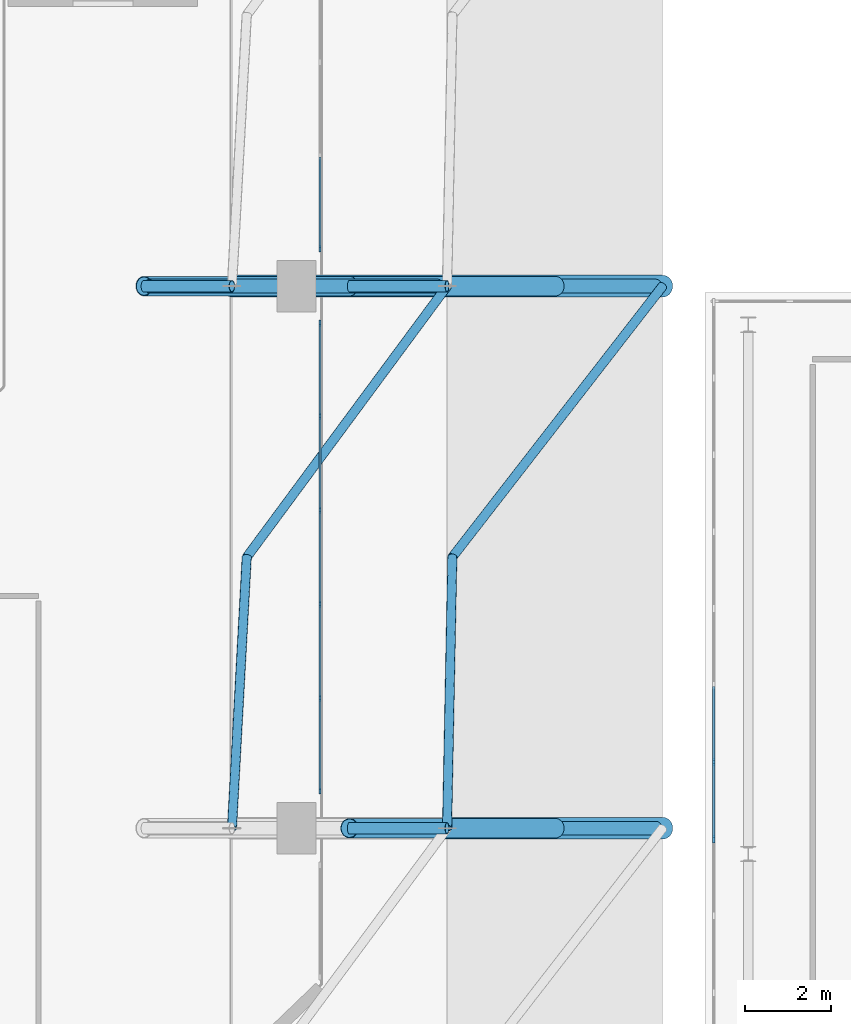
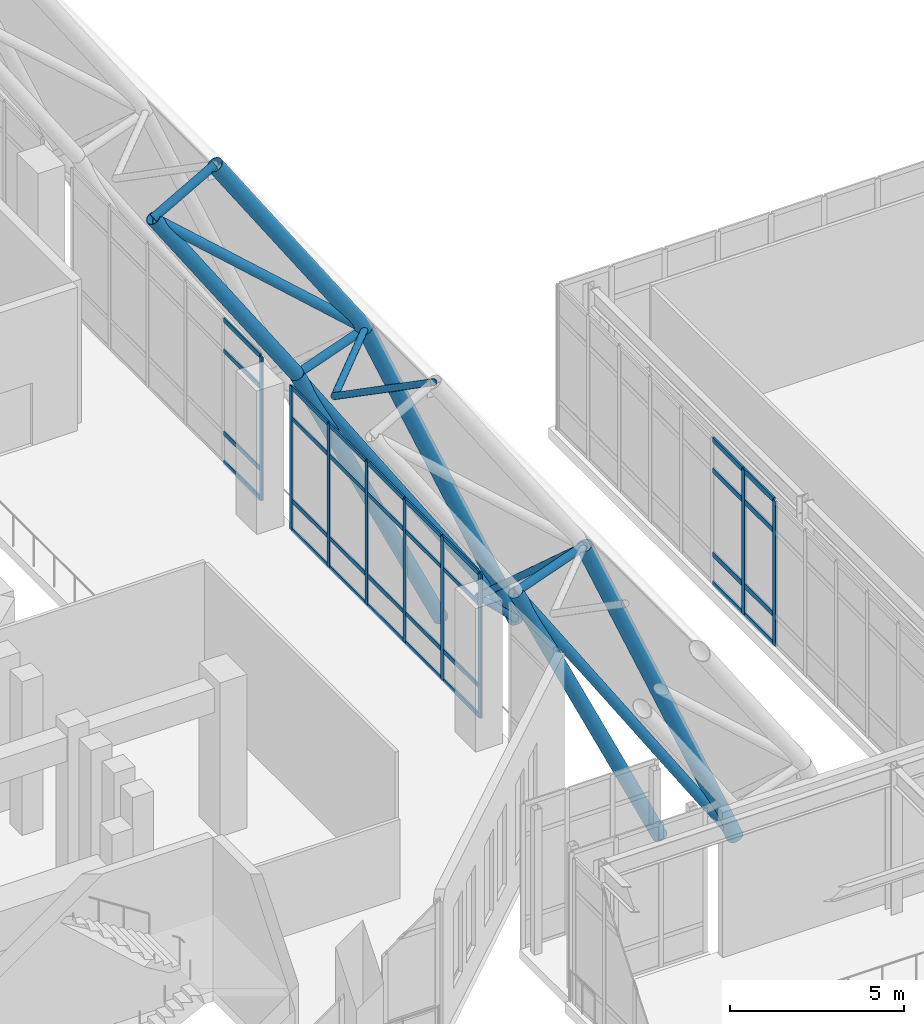
# One storey, part 41 of 159: 57 members, 3 elements without a shape of their own.
"""IFC4 building model written with IfcOpenShell, lengths in metres."""

from ifc_helpers import new_model, si_unit, derived_unit, direction, frame, origin, origin_2d, place, context, subcontext, project, spatial, rectangle, hollow_circle, extrude, material, layer, layer_set, material_profile, profile_set, type_object, element, aggregate, save


model = new_model("IFC4")

# Units and contexts
model_context = context("Model", 3, precision=1e-05, world=origin(), true_north=direction((0.0, 1.0)))
body_context = subcontext(model_context, "Body", "Model", "MODEL_VIEW")
ifc_project = project(units=[si_unit("LENGTHUNIT", "METRE"), si_unit("AREAUNIT", "SQUARE_METRE"), si_unit("VOLUMEUNIT", "CUBIC_METRE"), si_unit("PLANEANGLEUNIT", "RADIAN"), si_unit("MASSUNIT", "GRAM", prefix="KILO"), derived_unit("THERMALTRANSMITTANCEUNIT", [(si_unit("MASSUNIT", "GRAM", prefix="KILO"), 1), (si_unit("TIMEUNIT", "SECOND"), -3), (si_unit("THERMODYNAMICTEMPERATUREUNIT", "KELVIN"), -1)])], contexts=[model_context])

# Site, building, storey
site_placement = place(None, origin())
site = spatial("IfcSite", under=ifc_project, at=site_placement, CompositionType="ELEMENT")
building_placement = place(site_placement, origin())
building = spatial("IfcBuilding", under=site, at=building_placement, Name="Valcora Ridge Arena", CompositionType="ELEMENT")
storey_placement = place(building_placement, frame((0.0, 0.0, 6.0)))
storey = spatial("IfcBuildingStorey", under=building, at=storey_placement, Name="L01", CompositionType="ELEMENT", Elevation=6.0)

# Curtain wall, members
ifc_material_1 = material(Name="Anodised dark bronze architectural aluminium 6063-T6", Category="aluminium")
ifc_layer_1 = layer(ifc_material_1, 0.14990234375, Name="Anodised dark bronze architectural aluminium 6063-T6")
ifc_layer_set_1 = layer_set([ifc_layer_1], Name="Anodised dark bronze architectural aluminium 6063-T6")
curtain_wall_type_1 = type_object("IfcCurtainWallType", Name="TY-CURTAINWALL-CW-V1-EAST-109X50", PredefinedType="NOTDEFINED", material=ifc_layer_set_1)
curtain_wall_1_placement = place(storey_placement, origin())
curtain_wall_1 = element("IfcCurtainWall", 1, at=curtain_wall_1_placement, inside=storey, type_object=curtain_wall_type_1, Name="CW-V1-EAST-109X50 CW-0107", PredefinedType="NOTDEFINED")
ifc_material_profile_1 = material_profile(ifc_material_1, rectangle(XDim=0.050048828125, YDim=0.14990234375, at=origin_2d()), Name="ALU MULLION 50x150")
ifc_profile_set_1 = profile_set([ifc_material_profile_1], Name="Anodised dark bronze architectural aluminium 6063-T6")
member_type_1 = type_object("IfcMemberType", Name="TY-MEM-CWM-50x150", PredefinedType="MULLION", material=ifc_profile_set_1)
member_1_placement = place(storey_placement, frame((103.050048828125, 33.465087890625, 0.0), z_axis=(0.0, 0.0, 1.0), x_axis=(-1.0, 0.0, 0.0)))
member_1 = element("IfcMember", 2, at=member_1_placement, type_object=member_type_1, Name="CW-0107/CWM-50x150/M00", PredefinedType="MULLION", context=body_context, shape_type="SweptSolid", body=[
    extrude(rectangle(XDim=0.050048828125, YDim=0.14990234375, at=origin_2d()), origin(), (0.0, 0.0, 1.0), 5.0400390625),
])
member_2_placement = place(storey_placement, frame((103.050048828125, 35.6240234375, 0.0), z_axis=(0.0, 0.0, 1.0), x_axis=(-1.0, 0.0, 0.0)))
member_2 = element("IfcMember", 3, at=member_2_placement, type_object=member_type_1, Name="CW-0107/CWM-50x150/M01", PredefinedType="MULLION", context=body_context, shape_type="SweptSolid", body=[
    extrude(rectangle(XDim=0.050048828125, YDim=0.14990234375, at=origin_2d()), origin(), (0.0, 0.0, 1.0), 5.0400390625),
])
member_3_placement = place(storey_placement, frame((103.050048828125, 37.80810546875, 0.0), z_axis=(0.0, 0.0, 1.0), x_axis=(-1.0, 0.0, 0.0)))
member_3 = element("IfcMember", 4, at=member_3_placement, type_object=member_type_1, Name="CW-0107/CWM-50x150/M02", PredefinedType="MULLION", context=body_context, shape_type="SweptSolid", body=[
    extrude(rectangle(XDim=0.050048828125, YDim=0.14990234375, at=origin_2d()), origin(), (0.0, 0.0, 1.0), 5.0400390625),
])
member_4_placement = place(storey_placement, frame((103.050048828125, 39.991943359375, 0.0), z_axis=(0.0, 0.0, 1.0), x_axis=(-1.0, 0.0, 0.0)))
member_4 = element("IfcMember", 5, at=member_4_placement, type_object=member_type_1, Name="CW-0107/CWM-50x150/M03", PredefinedType="MULLION", context=body_context, shape_type="SweptSolid", body=[
    extrude(rectangle(XDim=0.050048828125, YDim=0.14990234375, at=origin_2d()), origin(), (0.0, 0.0, 1.0), 5.0400390625),
])
member_5_placement = place(storey_placement, frame((103.050048828125, 42.176025390625, 0.0), z_axis=(0.0, 0.0, 1.0), x_axis=(-1.0, 0.0, 0.0)))
member_5 = element("IfcMember", 6, at=member_5_placement, type_object=member_type_1, Name="CW-0107/CWM-50x150/M04", PredefinedType="MULLION", context=body_context, shape_type="SweptSolid", body=[
    extrude(rectangle(XDim=0.050048828125, YDim=0.14990234375, at=origin_2d()), origin(), (0.0, 0.0, 1.0), 5.0400390625),
])
member_6_placement = place(storey_placement, frame((103.050048828125, 44.3349609375, 0.0), z_axis=(0.0, 0.0, 1.0), x_axis=(-1.0, 0.0, 0.0)))
member_6 = element("IfcMember", 7, at=member_6_placement, type_object=member_type_1, Name="CW-0107/CWM-50x150/M05", PredefinedType="MULLION", context=body_context, shape_type="SweptSolid", body=[
    extrude(rectangle(XDim=0.050048828125, YDim=0.14990234375, at=origin_2d()), origin(), (0.0, 0.0, 1.0), 5.0400390625),
])

# Curtain wall, member
curtain_wall_2_placement = place(storey_placement, origin())
curtain_wall_2 = element("IfcCurtainWall", 8, at=curtain_wall_2_placement, inside=storey, type_object=curtain_wall_type_1, Name="CW-V1-EAST-109X50 CW-0108", PredefinedType="NOTDEFINED")
member_7_placement = place(storey_placement, frame((103.050048828125, 46.06494140625, 0.0), z_axis=(0.0, 0.0, 1.0), x_axis=(-1.0, 0.0, 0.0)))
member_7 = element("IfcMember", 9, at=member_7_placement, type_object=member_type_1, Name="CW-0108/CWM-50x150/M00", PredefinedType="MULLION", context=body_context, shape_type="SweptSolid", body=[
    extrude(rectangle(XDim=0.050048828125, YDim=0.14990234375, at=origin_2d()), origin(), (0.0, 0.0, 1.0), 5.0400390625),
])

# Curtain wall, members
ifc_layer_2 = layer(ifc_material_1, 0.179931640625, Name="Anodised dark bronze architectural aluminium 6063-T6")
ifc_layer_set_2 = layer_set([ifc_layer_2], Name="Anodised dark bronze architectural aluminium 6063-T6")
curtain_wall_type_2 = type_object("IfcCurtainWallType", Name="TY-CURTAINWALL-CW-V3-LANCET-250X51", PredefinedType="NOTDEFINED", material=ifc_layer_set_2)
curtain_wall_3_placement = place(storey_placement, origin())
curtain_wall_3 = element("IfcCurtainWall", 10, at=curtain_wall_3_placement, inside=storey, type_object=curtain_wall_type_2, Name="CW-V3-LANCET-250X51 CW-0018", PredefinedType="NOTDEFINED")
ifc_material_profile_2 = material_profile(ifc_material_1, rectangle(XDim=0.06005859375, YDim=0.179931640625, at=origin_2d()), Name="ALU MULLION 60x180")
ifc_profile_set_2 = profile_set([ifc_material_profile_2], Name="Anodised dark bronze architectural aluminium 6063-T6")
member_type_2 = type_object("IfcMemberType", Name="TY-MEM-CWM-60x180", PredefinedType="MULLION", material=ifc_profile_set_2)
member_8_placement = place(storey_placement, frame((112.199951171875, 32.35009765625, 0.0), z_axis=(0.0, 0.0, 1.0), x_axis=(-1.0, 0.0, 0.0)))
member_8 = element("IfcMember", 11, at=member_8_placement, type_object=member_type_2, Name="CW-0018/CWM-60x180/M07", PredefinedType="MULLION", context=body_context, shape_type="SweptSolid", body=[
    extrude(rectangle(XDim=0.06005859375, YDim=0.179931640625, at=origin_2d()), origin(), (0.0, 0.0, 1.0), 5.10009765625),
])
member_9_placement = place(storey_placement, frame((112.199951171875, 34.1357421875, 0.0), z_axis=(0.0, 0.0, 1.0), x_axis=(-1.0, 0.0, 0.0)))
member_9 = element("IfcMember", 12, at=member_9_placement, type_object=member_type_2, Name="CW-0018/CWM-60x180/M08", PredefinedType="MULLION", context=body_context, shape_type="SweptSolid", body=[
    extrude(rectangle(XDim=0.06005859375, YDim=0.179931640625, at=origin_2d()), origin(), (0.0, 0.0, 1.0), 5.10009765625),
])

# Member
ifc_material_profile_3 = material_profile(ifc_material_1, rectangle(XDim=0.050048828125, YDim=0.14990234375, at=origin_2d()), Name="ALU TRANSOM 50x150")
ifc_profile_set_3 = profile_set([ifc_material_profile_3], Name="Anodised dark bronze architectural aluminium 6063-T6")
member_type_3 = type_object("IfcMemberType", Name="TY-MEM-CWT-50x150", PredefinedType="USERDEFINED", material=ifc_profile_set_3)
member_10_placement = place(storey_placement, frame((103.050048828125, 33.489990234375, 0.02490234375), z_axis=(0.0, 1.0, 0.0), x_axis=(-1.0, 0.0, 0.0)))
member_10 = element("IfcMember", 13, at=member_10_placement, type_object=member_type_3, Name="CW-0107/CWT-50x150/T00-00", ObjectType="TRANSOM", PredefinedType="USERDEFINED", context=body_context, shape_type="SweptSolid", body=[
    extrude(rectangle(XDim=0.050048828125, YDim=0.14990234375, at=origin_2d()), origin(), (0.0, 0.0, 1.0), 2.109130859375),
])

member_11_placement = place(storey_placement, frame((103.050048828125, 33.489990234375, 1.050048828125), z_axis=(0.0, 1.0, 0.0), x_axis=(-1.0, 0.0, 0.0)))
member_11 = element("IfcMember", 14, at=member_11_placement, type_object=member_type_3, Name="CW-0107/CWT-50x150/T00-01", ObjectType="TRANSOM", PredefinedType="USERDEFINED", context=body_context, shape_type="SweptSolid", body=[
    extrude(rectangle(XDim=0.050048828125, YDim=0.14990234375, at=origin_2d()), origin(), (0.0, 0.0, 1.0), 2.109130859375),
])

member_12_placement = place(storey_placement, frame((103.050048828125, 33.489990234375, 3.93994140625), z_axis=(0.0, 1.0, 0.0), x_axis=(-1.0, 0.0, 0.0)))
member_12 = element("IfcMember", 15, at=member_12_placement, type_object=member_type_3, Name="CW-0107/CWT-50x150/T00-02", ObjectType="TRANSOM", PredefinedType="USERDEFINED", context=body_context, shape_type="SweptSolid", body=[
    extrude(rectangle(XDim=0.050048828125, YDim=0.14990234375, at=origin_2d()), origin(), (0.0, 0.0, 1.0), 2.109130859375),
])

member_13_placement = place(storey_placement, frame((103.050048828125, 33.489990234375, 5.014892578125), z_axis=(0.0, 1.0, 0.0), x_axis=(-1.0, 0.0, 0.0)))
member_13 = element("IfcMember", 16, at=member_13_placement, type_object=member_type_3, Name="CW-0107/CWT-50x150/T00-03", ObjectType="TRANSOM", PredefinedType="USERDEFINED", context=body_context, shape_type="SweptSolid", body=[
    extrude(rectangle(XDim=0.050048828125, YDim=0.14990234375, at=origin_2d()), origin(), (0.0, 0.0, 1.0), 2.109130859375),
])

member_14_placement = place(storey_placement, frame((103.050048828125, 35.64892578125, 0.02490234375), z_axis=(0.0, 1.0, 0.0), x_axis=(-1.0, 0.0, 0.0)))
member_14 = element("IfcMember", 17, at=member_14_placement, type_object=member_type_3, Name="CW-0107/CWT-50x150/T01-00", ObjectType="TRANSOM", PredefinedType="USERDEFINED", context=body_context, shape_type="SweptSolid", body=[
    extrude(rectangle(XDim=0.050048828125, YDim=0.14990234375, at=origin_2d()), origin(), (0.0, 0.0, 1.0), 2.134033203125),
])

member_15_placement = place(storey_placement, frame((103.050048828125, 35.64892578125, 1.050048828125), z_axis=(0.0, 1.0, 0.0), x_axis=(-1.0, 0.0, 0.0)))
member_15 = element("IfcMember", 18, at=member_15_placement, type_object=member_type_3, Name="CW-0107/CWT-50x150/T01-01", ObjectType="TRANSOM", PredefinedType="USERDEFINED", context=body_context, shape_type="SweptSolid", body=[
    extrude(rectangle(XDim=0.050048828125, YDim=0.14990234375, at=origin_2d()), origin(), (0.0, 0.0, 1.0), 2.134033203125),
])

member_16_placement = place(storey_placement, frame((103.050048828125, 35.64892578125, 3.93994140625), z_axis=(0.0, 1.0, 0.0), x_axis=(-1.0, 0.0, 0.0)))
member_16 = element("IfcMember", 19, at=member_16_placement, type_object=member_type_3, Name="CW-0107/CWT-50x150/T01-02", ObjectType="TRANSOM", PredefinedType="USERDEFINED", context=body_context, shape_type="SweptSolid", body=[
    extrude(rectangle(XDim=0.050048828125, YDim=0.14990234375, at=origin_2d()), origin(), (0.0, 0.0, 1.0), 2.134033203125),
])

member_17_placement = place(storey_placement, frame((103.050048828125, 35.64892578125, 5.014892578125), z_axis=(0.0, 1.0, 0.0), x_axis=(-1.0, 0.0, 0.0)))
member_17 = element("IfcMember", 20, at=member_17_placement, type_object=member_type_3, Name="CW-0107/CWT-50x150/T01-03", ObjectType="TRANSOM", PredefinedType="USERDEFINED", context=body_context, shape_type="SweptSolid", body=[
    extrude(rectangle(XDim=0.050048828125, YDim=0.14990234375, at=origin_2d()), origin(), (0.0, 0.0, 1.0), 2.134033203125),
])

member_18_placement = place(storey_placement, frame((103.050048828125, 37.8330078125, 0.02490234375), z_axis=(0.0, 1.0, 0.0), x_axis=(-1.0, 0.0, 0.0)))
member_18 = element("IfcMember", 21, at=member_18_placement, type_object=member_type_3, Name="CW-0107/CWT-50x150/T02-00", ObjectType="TRANSOM", PredefinedType="USERDEFINED", context=body_context, shape_type="SweptSolid", body=[
    extrude(rectangle(XDim=0.050048828125, YDim=0.14990234375, at=origin_2d()), origin(), (0.0, 0.0, 1.0), 2.134033203125),
])

member_19_placement = place(storey_placement, frame((103.050048828125, 37.8330078125, 1.050048828125), z_axis=(0.0, 1.0, 0.0), x_axis=(-1.0, 0.0, 0.0)))
member_19 = element("IfcMember", 22, at=member_19_placement, type_object=member_type_3, Name="CW-0107/CWT-50x150/T02-01", ObjectType="TRANSOM", PredefinedType="USERDEFINED", context=body_context, shape_type="SweptSolid", body=[
    extrude(rectangle(XDim=0.050048828125, YDim=0.14990234375, at=origin_2d()), origin(), (0.0, 0.0, 1.0), 2.134033203125),
])

member_20_placement = place(storey_placement, frame((103.050048828125, 37.8330078125, 3.93994140625), z_axis=(0.0, 1.0, 0.0), x_axis=(-1.0, 0.0, 0.0)))
member_20 = element("IfcMember", 23, at=member_20_placement, type_object=member_type_3, Name="CW-0107/CWT-50x150/T02-02", ObjectType="TRANSOM", PredefinedType="USERDEFINED", context=body_context, shape_type="SweptSolid", body=[
    extrude(rectangle(XDim=0.050048828125, YDim=0.14990234375, at=origin_2d()), origin(), (0.0, 0.0, 1.0), 2.134033203125),
])

member_21_placement = place(storey_placement, frame((103.050048828125, 37.8330078125, 5.014892578125), z_axis=(0.0, 1.0, 0.0), x_axis=(-1.0, 0.0, 0.0)))
member_21 = element("IfcMember", 24, at=member_21_placement, type_object=member_type_3, Name="CW-0107/CWT-50x150/T02-03", ObjectType="TRANSOM", PredefinedType="USERDEFINED", context=body_context, shape_type="SweptSolid", body=[
    extrude(rectangle(XDim=0.050048828125, YDim=0.14990234375, at=origin_2d()), origin(), (0.0, 0.0, 1.0), 2.134033203125),
])

member_22_placement = place(storey_placement, frame((103.050048828125, 40.01708984375, 0.02490234375), z_axis=(0.0, 1.0, 0.0), x_axis=(-1.0, 0.0, 0.0)))
member_22 = element("IfcMember", 25, at=member_22_placement, type_object=member_type_3, Name="CW-0107/CWT-50x150/T03-00", ObjectType="TRANSOM", PredefinedType="USERDEFINED", context=body_context, shape_type="SweptSolid", body=[
    extrude(rectangle(XDim=0.050048828125, YDim=0.14990234375, at=origin_2d()), origin(), (0.0, 0.0, 1.0), 2.1337890625),
])

member_23_placement = place(storey_placement, frame((103.050048828125, 40.01708984375, 1.050048828125), z_axis=(0.0, 1.0, 0.0), x_axis=(-1.0, 0.0, 0.0)))
member_23 = element("IfcMember", 26, at=member_23_placement, type_object=member_type_3, Name="CW-0107/CWT-50x150/T03-01", ObjectType="TRANSOM", PredefinedType="USERDEFINED", context=body_context, shape_type="SweptSolid", body=[
    extrude(rectangle(XDim=0.050048828125, YDim=0.14990234375, at=origin_2d()), origin(), (0.0, 0.0, 1.0), 2.1337890625),
])

member_24_placement = place(storey_placement, frame((103.050048828125, 40.01708984375, 3.93994140625), z_axis=(0.0, 1.0, 0.0), x_axis=(-1.0, 0.0, 0.0)))
member_24 = element("IfcMember", 27, at=member_24_placement, type_object=member_type_3, Name="CW-0107/CWT-50x150/T03-02", ObjectType="TRANSOM", PredefinedType="USERDEFINED", context=body_context, shape_type="SweptSolid", body=[
    extrude(rectangle(XDim=0.050048828125, YDim=0.14990234375, at=origin_2d()), origin(), (0.0, 0.0, 1.0), 2.1337890625),
])

member_25_placement = place(storey_placement, frame((103.050048828125, 40.01708984375, 5.014892578125), z_axis=(0.0, 1.0, 0.0), x_axis=(-1.0, 0.0, 0.0)))
member_25 = element("IfcMember", 28, at=member_25_placement, type_object=member_type_3, Name="CW-0107/CWT-50x150/T03-03", ObjectType="TRANSOM", PredefinedType="USERDEFINED", context=body_context, shape_type="SweptSolid", body=[
    extrude(rectangle(XDim=0.050048828125, YDim=0.14990234375, at=origin_2d()), origin(), (0.0, 0.0, 1.0), 2.1337890625),
])

member_26_placement = place(storey_placement, frame((103.050048828125, 42.200927734375, 0.02490234375), z_axis=(0.0, 1.0, 0.0), x_axis=(-1.0, 0.0, 0.0)))
member_26 = element("IfcMember", 29, at=member_26_placement, type_object=member_type_3, Name="CW-0107/CWT-50x150/T04-00", ObjectType="TRANSOM", PredefinedType="USERDEFINED", context=body_context, shape_type="SweptSolid", body=[
    extrude(rectangle(XDim=0.050048828125, YDim=0.14990234375, at=origin_2d()), origin(), (0.0, 0.0, 1.0), 2.109130859375),
])

member_27_placement = place(storey_placement, frame((103.050048828125, 42.200927734375, 1.050048828125), z_axis=(0.0, 1.0, 0.0), x_axis=(-1.0, 0.0, 0.0)))
member_27 = element("IfcMember", 30, at=member_27_placement, type_object=member_type_3, Name="CW-0107/CWT-50x150/T04-01", ObjectType="TRANSOM", PredefinedType="USERDEFINED", context=body_context, shape_type="SweptSolid", body=[
    extrude(rectangle(XDim=0.050048828125, YDim=0.14990234375, at=origin_2d()), origin(), (0.0, 0.0, 1.0), 2.109130859375),
])

member_28_placement = place(storey_placement, frame((103.050048828125, 42.200927734375, 3.93994140625), z_axis=(0.0, 1.0, 0.0), x_axis=(-1.0, 0.0, 0.0)))
member_28 = element("IfcMember", 31, at=member_28_placement, type_object=member_type_3, Name="CW-0107/CWT-50x150/T04-02", ObjectType="TRANSOM", PredefinedType="USERDEFINED", context=body_context, shape_type="SweptSolid", body=[
    extrude(rectangle(XDim=0.050048828125, YDim=0.14990234375, at=origin_2d()), origin(), (0.0, 0.0, 1.0), 2.109130859375),
])

member_29_placement = place(storey_placement, frame((103.050048828125, 42.200927734375, 5.014892578125), z_axis=(0.0, 1.0, 0.0), x_axis=(-1.0, 0.0, 0.0)))
member_29 = element("IfcMember", 32, at=member_29_placement, type_object=member_type_3, Name="CW-0107/CWT-50x150/T04-03", ObjectType="TRANSOM", PredefinedType="USERDEFINED", context=body_context, shape_type="SweptSolid", body=[
    extrude(rectangle(XDim=0.050048828125, YDim=0.14990234375, at=origin_2d()), origin(), (0.0, 0.0, 1.0), 2.109130859375),
])

aggregate(curtain_wall_1, [member_1, member_2, member_3, member_4, member_5, member_6, member_10, member_11, member_12, member_13, member_14, member_15, member_16, member_17, member_18, member_19, member_20, member_21, member_22, member_23, member_24, member_25, member_26, member_27, member_28, member_29])

member_30_placement = place(storey_placement, frame((103.050048828125, 46.090087890625, 0.02490234375), z_axis=(0.0, 1.0, 0.0), x_axis=(-1.0, 0.0, 0.0)))
member_30 = element("IfcMember", 33, at=member_30_placement, type_object=member_type_3, Name="CW-0108/CWT-50x150/T00-00", ObjectType="TRANSOM", PredefinedType="USERDEFINED", context=body_context, shape_type="SweptSolid", body=[
    extrude(rectangle(XDim=0.050048828125, YDim=0.14990234375, at=origin_2d()), origin(), (0.0, 0.0, 1.0), 2.10888671875),
])

member_31_placement = place(storey_placement, frame((103.050048828125, 46.090087890625, 1.050048828125), z_axis=(0.0, 1.0, 0.0), x_axis=(-1.0, 0.0, 0.0)))
member_31 = element("IfcMember", 34, at=member_31_placement, type_object=member_type_3, Name="CW-0108/CWT-50x150/T00-01", ObjectType="TRANSOM", PredefinedType="USERDEFINED", context=body_context, shape_type="SweptSolid", body=[
    extrude(rectangle(XDim=0.050048828125, YDim=0.14990234375, at=origin_2d()), origin(), (0.0, 0.0, 1.0), 2.10888671875),
])

member_32_placement = place(storey_placement, frame((103.050048828125, 46.090087890625, 3.93994140625), z_axis=(0.0, 1.0, 0.0), x_axis=(-1.0, 0.0, 0.0)))
member_32 = element("IfcMember", 35, at=member_32_placement, type_object=member_type_3, Name="CW-0108/CWT-50x150/T00-02", ObjectType="TRANSOM", PredefinedType="USERDEFINED", context=body_context, shape_type="SweptSolid", body=[
    extrude(rectangle(XDim=0.050048828125, YDim=0.14990234375, at=origin_2d()), origin(), (0.0, 0.0, 1.0), 2.10888671875),
])

member_33_placement = place(storey_placement, frame((103.050048828125, 46.090087890625, 5.014892578125), z_axis=(0.0, 1.0, 0.0), x_axis=(-1.0, 0.0, 0.0)))
member_33 = element("IfcMember", 36, at=member_33_placement, type_object=member_type_3, Name="CW-0108/CWT-50x150/T00-03", ObjectType="TRANSOM", PredefinedType="USERDEFINED", context=body_context, shape_type="SweptSolid", body=[
    extrude(rectangle(XDim=0.050048828125, YDim=0.14990234375, at=origin_2d()), origin(), (0.0, 0.0, 1.0), 2.10888671875),
])

aggregate(curtain_wall_2, [member_7, member_30, member_31, member_32, member_33])

ifc_material_profile_4 = material_profile(ifc_material_1, rectangle(XDim=0.06005859375, YDim=0.179931640625, at=origin_2d()), Name="ALU TRANSOM 60x180")
ifc_profile_set_4 = profile_set([ifc_material_profile_4], Name="Anodised dark bronze architectural aluminium 6063-T6")
member_type_4 = type_object("IfcMemberType", Name="TY-MEM-CWT-60x180", PredefinedType="USERDEFINED", material=ifc_profile_set_4)
member_34_placement = place(storey_placement, frame((112.199951171875, 32.3798828125, 0.030029296875), z_axis=(0.0, 1.0, 0.0), x_axis=(-1.0, 0.0, 0.0)))
member_34 = element("IfcMember", 37, at=member_34_placement, type_object=member_type_4, Name="CW-0018/CWT-60x180/T07-00", ObjectType="TRANSOM", PredefinedType="USERDEFINED", context=body_context, shape_type="SweptSolid", body=[
    extrude(rectangle(XDim=0.06005859375, YDim=0.179931640625, at=origin_2d()), origin(), (0.0, 0.0, 1.0), 1.72607421875),
])

member_35_placement = place(storey_placement, frame((112.199951171875, 32.3798828125, 1.050048828125), z_axis=(0.0, 1.0, 0.0), x_axis=(-1.0, 0.0, 0.0)))
member_35 = element("IfcMember", 38, at=member_35_placement, type_object=member_type_4, Name="CW-0018/CWT-60x180/T07-01", ObjectType="TRANSOM", PredefinedType="USERDEFINED", context=body_context, shape_type="SweptSolid", body=[
    extrude(rectangle(XDim=0.06005859375, YDim=0.179931640625, at=origin_2d()), origin(), (0.0, 0.0, 1.0), 1.72607421875),
])

member_36_placement = place(storey_placement, frame((112.199951171875, 32.3798828125, 4.0), z_axis=(0.0, 1.0, 0.0), x_axis=(-1.0, 0.0, 0.0)))
member_36 = element("IfcMember", 39, at=member_36_placement, type_object=member_type_4, Name="CW-0018/CWT-60x180/T07-02", ObjectType="TRANSOM", PredefinedType="USERDEFINED", context=body_context, shape_type="SweptSolid", body=[
    extrude(rectangle(XDim=0.06005859375, YDim=0.179931640625, at=origin_2d()), origin(), (0.0, 0.0, 1.0), 1.72607421875),
])

member_37_placement = place(storey_placement, frame((112.199951171875, 32.3798828125, 5.070068359375), z_axis=(0.0, 1.0, 0.0), x_axis=(-1.0, 0.0, 0.0)))
member_37 = element("IfcMember", 40, at=member_37_placement, type_object=member_type_4, Name="CW-0018/CWT-60x180/T07-03", ObjectType="TRANSOM", PredefinedType="USERDEFINED", context=body_context, shape_type="SweptSolid", body=[
    extrude(rectangle(XDim=0.06005859375, YDim=0.179931640625, at=origin_2d()), origin(), (0.0, 0.0, 1.0), 1.72607421875),
])

member_38_placement = place(storey_placement, frame((112.199951171875, 34.166015625, 0.030029296875), z_axis=(0.0, 1.0, 0.0), x_axis=(-1.0, 0.0, 0.0)))
member_38 = element("IfcMember", 41, at=member_38_placement, type_object=member_type_4, Name="CW-0018/CWT-60x180/T08-00", ObjectType="TRANSOM", PredefinedType="USERDEFINED", context=body_context, shape_type="SweptSolid", body=[
    extrude(rectangle(XDim=0.06005859375, YDim=0.179931640625, at=origin_2d()), origin(), (0.0, 0.0, 1.0), 1.72509765625),
])

member_39_placement = place(storey_placement, frame((112.199951171875, 34.166015625, 1.050048828125), z_axis=(0.0, 1.0, 0.0), x_axis=(-1.0, 0.0, 0.0)))
member_39 = element("IfcMember", 42, at=member_39_placement, type_object=member_type_4, Name="CW-0018/CWT-60x180/T08-01", ObjectType="TRANSOM", PredefinedType="USERDEFINED", context=body_context, shape_type="SweptSolid", body=[
    extrude(rectangle(XDim=0.06005859375, YDim=0.179931640625, at=origin_2d()), origin(), (0.0, 0.0, 1.0), 1.72509765625),
])

member_40_placement = place(storey_placement, frame((112.199951171875, 34.166015625, 4.0), z_axis=(0.0, 1.0, 0.0), x_axis=(-1.0, 0.0, 0.0)))
member_40 = element("IfcMember", 43, at=member_40_placement, type_object=member_type_4, Name="CW-0018/CWT-60x180/T08-02", ObjectType="TRANSOM", PredefinedType="USERDEFINED", context=body_context, shape_type="SweptSolid", body=[
    extrude(rectangle(XDim=0.06005859375, YDim=0.179931640625, at=origin_2d()), origin(), (0.0, 0.0, 1.0), 1.72509765625),
])

member_41_placement = place(storey_placement, frame((112.199951171875, 34.166015625, 5.070068359375), z_axis=(0.0, 1.0, 0.0), x_axis=(-1.0, 0.0, 0.0)))
member_41 = element("IfcMember", 44, at=member_41_placement, type_object=member_type_4, Name="CW-0018/CWT-60x180/T08-03", ObjectType="TRANSOM", PredefinedType="USERDEFINED", context=body_context, shape_type="SweptSolid", body=[
    extrude(rectangle(XDim=0.06005859375, YDim=0.179931640625, at=origin_2d()), origin(), (0.0, 0.0, 1.0), 1.72509765625),
])

aggregate(curtain_wall_3, [member_8, member_9, member_34, member_35, member_36, member_37, member_38, member_39, member_40, member_41])

# Members
ifc_material_2 = material(Name="Steel ASTM A500 Grade C", Category="steel")
ifc_material_profile_5 = material_profile(ifc_material_2, hollow_circle(Radius=0.228515625, WallThickness=0.01611328125, at=origin_2d()), Name="CHS457X16")
ifc_profile_set_5 = profile_set([ifc_material_profile_5], Name="Steel ASTM A500 Grade C")
member_type_5 = type_object("IfcMemberType", Name="TY-MEMBER-SFBC-457", PredefinedType="CHORD", material=ifc_profile_set_5)
member_42_placement = place(storey_placement, frame((103.73046875, 32.60009765625, 4.687744140625), z_axis=(0.423307664024, 0.0, -0.90598599414), x_axis=(0.0, 1.0, 0.0)))
element("IfcMember", 45, at=member_42_placement, inside=storey, type_object=member_type_5, Name="SFBC-457 Space Frame Bottom Chord", PredefinedType="CHORD", context=body_context, shape_type="SweptSolid", body=[
    extrude(hollow_circle(Radius=0.228515625, WallThickness=0.01611328125, at=origin_2d()), origin(), (0.0, 0.0, 1.0), 11.300048828125),
])
member_43_placement = place(storey_placement, frame((98.95654296875, 45.199951171875, 11.845947265625), z_axis=(0.554844245473, 0.0, -0.831954243493), x_axis=(0.0, 1.0, 0.0)))
element("IfcMember", 46, at=member_43_placement, inside=storey, type_object=member_type_5, Name="SFBC-457 Space Frame Bottom Chord", PredefinedType="CHORD", context=body_context, shape_type="SweptSolid", body=[
    extrude(hollow_circle(Radius=0.228515625, WallThickness=0.01611328125, at=origin_2d()), origin(), (0.0, 0.0, 1.0), 8.60400390625),
])
member_44_placement = place(storey_placement, frame((103.73046875, 45.199951171875, 4.687744140625), z_axis=(0.423307664024, 0.0, -0.90598599414), x_axis=(0.0, 1.0, 0.0)))
element("IfcMember", 47, at=member_44_placement, inside=storey, type_object=member_type_5, Name="SFBC-457 Space Frame Bottom Chord", PredefinedType="CHORD", context=body_context, shape_type="SweptSolid", body=[
    extrude(hollow_circle(Radius=0.228515625, WallThickness=0.01611328125, at=origin_2d()), origin(), (0.0, 0.0, 1.0), 11.300048828125),
])
ifc_material_profile_6 = material_profile(ifc_material_2, hollow_circle(Radius=0.136474609375, WallThickness=0.012451171875, at=origin_2d()), Name="CHS273X12")
ifc_profile_set_6 = profile_set([ifc_material_profile_6], Name="Steel ASTM A500 Grade C")
member_type_6 = type_object("IfcMemberType", Name="TY-MEMBER-SFKP-273", PredefinedType="POST", material=ifc_profile_set_6)
member_45_placement = place(storey_placement, frame((103.73046875, 32.60009765625, 4.687744140625), z_axis=(0.940679548022, 0.0, 0.339296312878), x_axis=(0.0, 1.0, 0.0)))
element("IfcMember", 48, at=member_45_placement, inside=storey, type_object=member_type_6, Name="SFKP-273 Space Frame King Post", PredefinedType="POST", context=body_context, shape_type="SweptSolid", body=[
    extrude(hollow_circle(Radius=0.136474609375, WallThickness=0.012451171875, at=origin_2d()), origin(), (0.0, 0.0, 1.0), 2.41259765625),
])
member_46_placement = place(storey_placement, frame((98.95654296875, 45.199951171875, 11.845947265625), z_axis=(0.870066770029, 0.0, 0.49293388572), x_axis=(0.0, 1.0, 0.0)))
element("IfcMember", 49, at=member_46_placement, inside=storey, type_object=member_type_6, Name="SFKP-273 Space Frame King Post", PredefinedType="POST", context=body_context, shape_type="SweptSolid", body=[
    extrude(hollow_circle(Radius=0.136474609375, WallThickness=0.012451171875, at=origin_2d()), origin(), (0.0, 0.0, 1.0), 2.3486328125),
])
member_47_placement = place(storey_placement, frame((103.73046875, 45.199951171875, 4.687744140625), z_axis=(0.940679548022, 0.0, 0.339296312878), x_axis=(0.0, 1.0, 0.0)))
element("IfcMember", 50, at=member_47_placement, inside=storey, type_object=member_type_6, Name="SFKP-273 Space Frame King Post", PredefinedType="POST", context=body_context, shape_type="SweptSolid", body=[
    extrude(hollow_circle(Radius=0.136474609375, WallThickness=0.012451171875, at=origin_2d()), origin(), (0.0, 0.0, 1.0), 2.41259765625),
])
ifc_material_profile_7 = material_profile(ifc_material_2, hollow_circle(Radius=0.109619140625, WallThickness=0.010009765625, at=origin_2d()), Name="CHS219X10")
ifc_profile_set_7 = profile_set([ifc_material_profile_7], Name="Steel ASTM A500 Grade C")
member_type_7 = type_object("IfcMemberType", Name="TY-MEMBER-SFST-219", PredefinedType="STRUT", material=ifc_profile_set_7)
member_48_placement = place(storey_placement, frame((101.343505859375, 38.89990234375, 8.570068359375), z_axis=(-0.044546474431, -0.816970310034, 0.57495662805), x_axis=(0.99851674084, -0.054445553184, 0.0)))
element("IfcMember", 51, at=member_48_placement, inside=storey, type_object=member_type_7, Name="SFST-219 Space Frame Tie Strut", PredefinedType="STRUT", context=body_context, shape_type="SweptSolid", body=[
    extrude(hollow_circle(Radius=0.109619140625, WallThickness=0.010009765625, at=origin_2d()), origin(), (0.0, 0.0, 1.0), 7.711181640625),
])
member_49_placement = place(storey_placement, frame((101.343505859375, 38.89990234375, 8.570068359375), z_axis=(0.55356081568, 0.748945464721, -0.364213006657), x_axis=(-0.804180027391, 0.59438580362, 0.0)))
element("IfcMember", 52, at=member_49_placement, inside=storey, type_object=member_type_7, Name="SFST-219 Space Frame Tie Strut", PredefinedType="STRUT", context=body_context, shape_type="SweptSolid", body=[
    extrude(hollow_circle(Radius=0.109619140625, WallThickness=0.010009765625, at=origin_2d()), origin(), (0.0, 0.0, 1.0), 8.411865234375),
])
member_50_placement = place(storey_placement, frame((106.122314453125, 38.89990234375, -0.131103515625), z_axis=(-0.014466894428, -0.745117253118, 0.666776565329), x_axis=(0.999811570617, -0.019411936013, 0.0)))
element("IfcMember", 53, at=member_50_placement, inside=storey, type_object=member_type_7, Name="SFST-219 Space Frame Tie Strut", PredefinedType="STRUT", context=body_context, shape_type="SweptSolid", body=[
    extrude(hollow_circle(Radius=0.109619140625, WallThickness=0.010009765625, at=origin_2d()), origin(), (0.0, 0.0, 1.0), 8.454833984375),
])
member_51_placement = place(storey_placement, frame((106.122314453125, 38.89990234375, -0.131103515625), z_axis=(0.480415634136, 0.619237034909, -0.621084787348), x_axis=(-0.790101773221, 0.612975683003, 0.0)))
element("IfcMember", 54, at=member_51_placement, inside=storey, type_object=member_type_7, Name="SFST-219 Space Frame Tie Strut", PredefinedType="STRUT", context=body_context, shape_type="SweptSolid", body=[
    extrude(hollow_circle(Radius=0.109619140625, WallThickness=0.010009765625, at=origin_2d()), origin(), (0.0, 0.0, 1.0), 10.173828125),
])
ifc_material_profile_8 = material_profile(ifc_material_2, hollow_circle(Radius=0.25390625, WallThickness=0.01611328125, at=origin_2d()), Name="CHS508X16")
ifc_profile_set_8 = profile_set([ifc_material_profile_8], Name="Steel ASTM A500 Grade C")
member_type_8 = type_object("IfcMemberType", Name="TY-MEMBER-SFTC-508", PredefinedType="CHORD", material=ifc_profile_set_8)
member_52_placement = place(storey_placement, frame((106.0, 32.60009765625, 5.50634765625), z_axis=(0.386469367501, 0.0, -0.922302243293), x_axis=(0.0, 1.0, 0.0)))
element("IfcMember", 55, at=member_52_placement, inside=storey, type_object=member_type_8, Name="SFTC-508 Space Frame Top Chord", PredefinedType="CHORD", context=body_context, shape_type="SweptSolid", body=[
    extrude(hollow_circle(Radius=0.25390625, WallThickness=0.01611328125, at=origin_2d()), origin(), (0.0, 0.0, 1.0), 12.963623046875),
])
member_53_placement = place(storey_placement, frame((101.0, 45.199951171875, 13.003662109375), z_axis=(0.554837731053, 0.0, -0.831958588032), x_axis=(0.0, 1.0, 0.0)))
element("IfcMember", 56, at=member_53_placement, inside=storey, type_object=member_type_8, Name="SFTC-508 Space Frame Top Chord", PredefinedType="CHORD", context=body_context, shape_type="SweptSolid", body=[
    extrude(hollow_circle(Radius=0.25390625, WallThickness=0.01611328125, at=origin_2d()), origin(), (0.0, 0.0, 1.0), 9.01171875),
])
member_54_placement = place(storey_placement, frame((106.0, 45.199951171875, 5.50634765625), z_axis=(0.386469367501, 0.0, -0.922302243293), x_axis=(0.0, 1.0, 0.0)))
element("IfcMember", 57, at=member_54_placement, inside=storey, type_object=member_type_8, Name="SFTC-508 Space Frame Top Chord", PredefinedType="CHORD", context=body_context, shape_type="SweptSolid", body=[
    extrude(hollow_circle(Radius=0.25390625, WallThickness=0.01611328125, at=origin_2d()), origin(), (0.0, 0.0, 1.0), 12.963623046875),
])
ifc_material_profile_9 = material_profile(ifc_material_2, hollow_circle(Radius=0.161865234375, WallThickness=0.012451171875, at=origin_2d()), Name="CHS323X12")
ifc_profile_set_9 = profile_set([ifc_material_profile_9], Name="Steel ASTM A500 Grade C")
member_type_9 = type_object("IfcMemberType", Name="TY-MEMBER-SFWB-323", PredefinedType="BRACE", material=ifc_profile_set_9)
member_55_placement = place(storey_placement, frame((103.818115234375, 32.60009765625, 4.5537109375), z_axis=(0.547092389221, 0.0, -0.837072229653), x_axis=(0.0, 1.0, 0.0)))
element("IfcMember", 58, at=member_55_placement, inside=storey, type_object=member_type_9, Name="SFWB-323 Space Frame Diagonal Brace", PredefinedType="BRACE", context=body_context, shape_type="SweptSolid", body=[
    extrude(hollow_circle(Radius=0.161865234375, WallThickness=0.012451171875, at=origin_2d()), origin(), (0.0, 0.0, 1.0), 12.865478515625),
])
member_56_placement = place(storey_placement, frame((99.075439453125, 45.199951171875, 11.739013671875), z_axis=(0.743265934417, 0.0, -0.668996076771), x_axis=(0.0, 1.0, 0.0)))
element("IfcMember", 59, at=member_56_placement, inside=storey, type_object=member_type_9, Name="SFWB-323 Space Frame Diagonal Brace", PredefinedType="BRACE", context=body_context, shape_type="SweptSolid", body=[
    extrude(hollow_circle(Radius=0.161865234375, WallThickness=0.012451171875, at=origin_2d()), origin(), (0.0, 0.0, 1.0), 9.03662109375),
])
member_57_placement = place(storey_placement, frame((103.818115234375, 45.199951171875, 4.5537109375), z_axis=(0.547092389221, 0.0, -0.837072229653), x_axis=(0.0, 1.0, 0.0)))
element("IfcMember", 60, at=member_57_placement, inside=storey, type_object=member_type_9, Name="SFWB-323 Space Frame Diagonal Brace", PredefinedType="BRACE", context=body_context, shape_type="SweptSolid", body=[
    extrude(hollow_circle(Radius=0.161865234375, WallThickness=0.012451171875, at=origin_2d()), origin(), (0.0, 0.0, 1.0), 12.865478515625),
])

save(model, "model.ifc")
